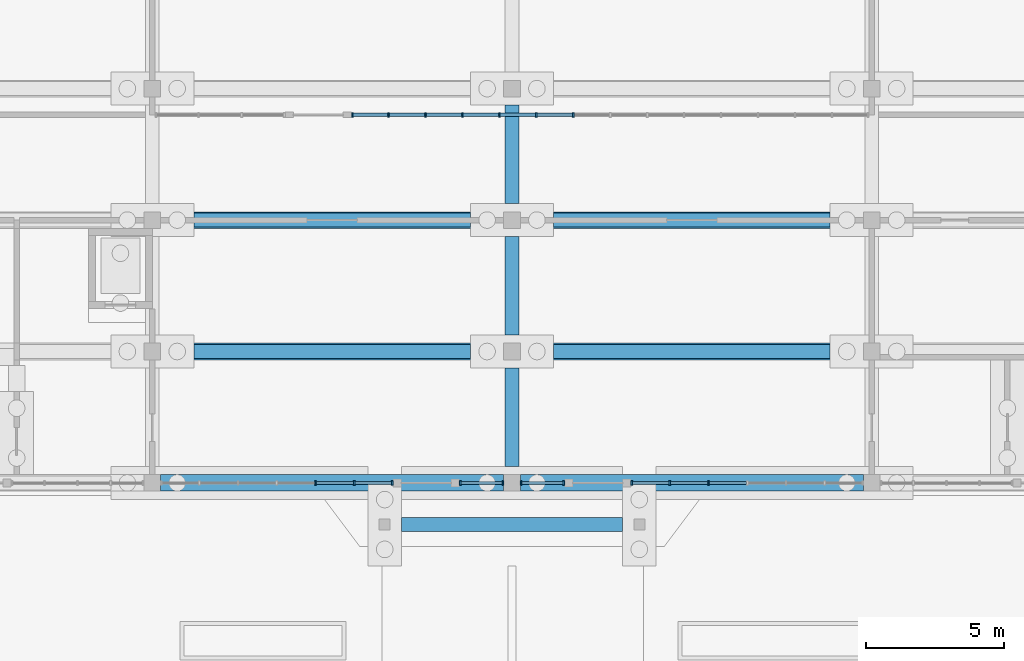
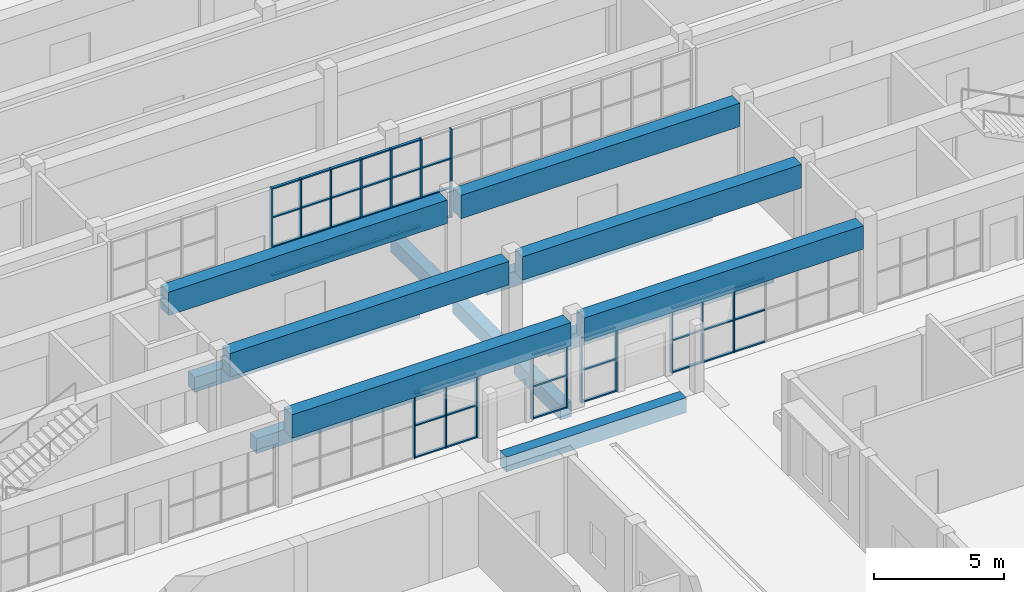
# One storey, part 17 of 161: 61 members, 14 beams, 5 elements without a shape of their own.
"""IFC4 building model written with IfcOpenShell, lengths in metres."""

from ifc_helpers import new_model, si_unit, direction, frame, origin, origin_2d, place, context, subcontext, project, spatial, rectangle, extrude, material, material_profile, profile_set, type_object, element, aggregate, save


model = new_model("IFC4")

# Units and contexts
model_context = context("Model", 3, precision=1e-05, world=origin(), true_north=direction((0.0, 1.0)))
body_context = subcontext(model_context, "Body", "Model", "MODEL_VIEW")
ifc_project = project(units=[si_unit("LENGTHUNIT", "METRE"), si_unit("AREAUNIT", "SQUARE_METRE"), si_unit("VOLUMEUNIT", "CUBIC_METRE"), si_unit("PLANEANGLEUNIT", "RADIAN"), si_unit("MASSUNIT", "GRAM", prefix="KILO")], contexts=[model_context])

# Site, building, storey
site_placement = place(None, origin())
site = spatial("IfcSite", under=ifc_project, at=site_placement, CompositionType="ELEMENT")
building_placement = place(site_placement, origin())
building = spatial("IfcBuilding", under=site, at=building_placement, Name="Elbe Cascade School", CompositionType="ELEMENT")
storey_placement = place(building_placement, origin())
storey = spatial("IfcBuildingStorey", under=building, at=storey_placement, Name="L00", CompositionType="ELEMENT", Elevation=0.0)

# Beams
ifc_material_1 = material(Name="Concrete C30/37", Category="concrete")
ifc_material_profile_1 = material_profile(ifc_material_1, rectangle(XDim=0.5, YDim=0.699951171875, at=origin_2d()), Name="RC 500x700")
ifc_profile_set_1 = profile_set([ifc_material_profile_1], Name="Concrete C30/37")
beam_type_1 = type_object("IfcBeamType", Name="Found ground beam RC 500x700", PredefinedType="BEAM", material=ifc_profile_set_1)
beam_placement = place(storey_placement, frame((30.0, 39.5, -0.35009765625), z_axis=(1.0, 0.0, 0.0), x_axis=(0.0, 1.0, 0.0)))
element("IfcBeam", 1, at=beam_placement, inside=storey, type_object=beam_type_1, Name="Ground beam 328", PredefinedType="BEAM", context=body_context, shape_type="SweptSolid", body=[
    extrude(rectangle(XDim=0.5, YDim=0.699951171875, at=origin_2d()), origin(), (0.0, 0.0, 1.0), 8.0),
])
for number, where, z_axis, x_axis, name in (
    (2, (22.5, 45.75, -0.64990234375), (1.0, 0.0, 0.0), (0.0, 1.0, 0.0), "Ground beam 332"),
    (3, (35.5, 45.75, -0.64990234375), (1.0, 0.0, 0.0), (0.0, 1.0, 0.0), "Ground beam 333"),
    (4, (22.5, 50.5, -0.64990234375), (1.0, 0.0, 0.0), (0.0, 1.0, 0.0), "Ground beam 336"),
    (5, (35.5, 50.5, -0.64990234375), (1.0, 0.0, 0.0), (0.0, 1.0, 0.0), "Ground beam 337"),
):
    element("IfcBeam", number, at=place(storey_placement, frame(where, z_axis=z_axis, x_axis=x_axis)), inside=storey, type_object=beam_type_1, Name=name, PredefinedType="BEAM", context=body_context, shape_type="SweptSolid", body=[
        extrude(rectangle(XDim=0.5, YDim=0.699951171875, at=origin_2d()), origin(), (0.0, 0.0, 1.0), 10.0),
    ])
for number, where, z_axis, x_axis, name in (
    (6, (34.0, 41.60009765625, -0.64990234375), (0.0, 1.0, 0.0), (-1.0, 0.0, 0.0), "Ground beam 361"),
    (7, (34.0, 46.35009765625, -0.64990234375), (0.0, 1.0, 0.0), (-1.0, 0.0, 0.0), "Ground beam 362"),
    (8, (34.0, 51.10009765625, -0.64990234375), (0.0, 1.0, 0.0), (-1.0, 0.0, 0.0), "Ground beam 363"),
):
    element("IfcBeam", number, at=place(storey_placement, frame(where, z_axis=z_axis, x_axis=x_axis)), inside=storey, type_object=beam_type_1, Name=name, PredefinedType="BEAM", context=body_context, shape_type="SweptSolid", body=[
        extrude(rectangle(XDim=0.5, YDim=0.699951171875, at=origin_2d()), origin(), (0.0, 0.0, 1.0), 3.5498046875),
    ])
ifc_material_2 = material(Name="Concrete C35/45", Category="concrete")
ifc_material_profile_2 = material_profile(ifc_material_2, rectangle(XDim=0.60009765625, YDim=1.10009765625, at=origin_2d()), Name="RC 600x1100")
ifc_profile_set_2 = profile_set([ifc_material_profile_2], Name="Concrete C35/45")
beam_type_2 = type_object("IfcBeamType", Name="Hall floor beam RC 600x1100", PredefinedType="BEAM", material=ifc_profile_set_2)
for number, where, z_axis, x_axis, name in (
    (9, (21.300048828125, 41.0, 3.60009765625), (1.0, 0.0, 0.0), (0.0, 1.0, 0.0), "Hall floor beam RC 600x1100 B13"),
    (10, (34.300048828125, 41.0, 3.60009765625), (1.0, 0.0, 0.0), (0.0, 1.0, 0.0), "Hall floor beam RC 600x1100 B13"),
    (11, (21.300048828125, 45.75, 3.60009765625), (1.0, 0.0, 0.0), (0.0, 1.0, 0.0), "Hall floor beam RC 600x1100 B13"),
    (12, (34.300048828125, 45.75, 3.60009765625), (1.0, 0.0, 0.0), (0.0, 1.0, 0.0), "Hall floor beam RC 600x1100 B13"),
    (13, (21.300048828125, 50.5, 3.60009765625), (1.0, 0.0, 0.0), (0.0, 1.0, 0.0), "Hall floor beam RC 600x1100 B13"),
    (14, (34.300048828125, 50.5, 3.60009765625), (1.0, 0.0, 0.0), (0.0, 1.0, 0.0), "Hall floor beam RC 600x1100 B13"),
):
    element("IfcBeam", number, at=place(storey_placement, frame(where, z_axis=z_axis, x_axis=x_axis)), inside=storey, type_object=beam_type_2, Name=name, PredefinedType="BEAM", context=body_context, shape_type="SweptSolid", body=[
        extrude(rectangle(XDim=0.60009765625, YDim=1.10009765625, at=origin_2d()), origin(), (0.0, 0.0, 1.0), 12.39990234375),
    ])

# Curtain wall, members
ifc_material_3 = material(Name="Glass - double glazed low-E", Category="glass")
curtain_wall_type = type_object("IfcCurtainWallType", Name="Hall gable curtain wall", PredefinedType="NOTDEFINED", material=ifc_material_3)
curtain_wall_1_placement = place(storey_placement, origin())
curtain_wall_1 = element("IfcCurtainWall", 15, at=curtain_wall_1_placement, inside=storey, type_object=curtain_wall_type, Name="Entrance front curtain wall 3", PredefinedType="NOTDEFINED")
ifc_material_4 = material(Name="Aluminium - bronze anodised", Category="aluminium")
ifc_material_profile_3 = material_profile(ifc_material_4, rectangle(XDim=0.159912109375, YDim=0.06005859375, at=origin_2d()), Name="Alu 60x160")
ifc_profile_set_3 = profile_set([ifc_material_profile_3], Name="Aluminium - bronze anodised")
member_type_1 = type_object("IfcMemberType", Name="Hall gable mullion 60x160", PredefinedType="MULLION", material=ifc_profile_set_3)
member_1_placement = place(storey_placement, frame((26.89990234375, 41.0, 0.0), z_axis=(0.0, 0.0, 1.0), x_axis=(0.0, 1.0, 0.0)))
member_1 = element("IfcMember", 16, at=member_1_placement, type_object=member_type_1, Name="CW6 mullion 5", PredefinedType="MULLION", context=body_context, shape_type="SweptSolid", body=[
    extrude(rectangle(XDim=0.159912109375, YDim=0.06005859375, at=origin_2d()), origin(), (0.0, 0.0, 1.0), 3.050048828125),
])
member_2_placement = place(storey_placement, frame((28.300048828125, 41.0, 0.0), z_axis=(0.0, 0.0, 1.0), x_axis=(0.0, 1.0, 0.0)))
member_2 = element("IfcMember", 17, at=member_2_placement, type_object=member_type_1, Name="CW6 mullion 6", PredefinedType="MULLION", context=body_context, shape_type="SweptSolid", body=[
    extrude(rectangle(XDim=0.159912109375, YDim=0.06005859375, at=origin_2d()), origin(), (0.0, 0.0, 1.0), 3.050048828125),
])
member_3_placement = place(storey_placement, frame((29.669921875, 41.0, 0.0), z_axis=(0.0, 0.0, 1.0), x_axis=(0.0, 1.0, 0.0)))
member_3 = element("IfcMember", 18, at=member_3_placement, type_object=member_type_1, Name="CW6 mullion 7", PredefinedType="MULLION", context=body_context, shape_type="SweptSolid", body=[
    extrude(rectangle(XDim=0.159912109375, YDim=0.06005859375, at=origin_2d()), origin(), (0.0, 0.0, 1.0), 3.050048828125),
])

curtain_wall_2_placement = place(storey_placement, origin())
curtain_wall_2 = element("IfcCurtainWall", 19, at=curtain_wall_2_placement, inside=storey, type_object=curtain_wall_type, Name="Entrance front curtain wall 4", PredefinedType="NOTDEFINED")
member_4_placement = place(storey_placement, frame((32.1298828125, 41.0, 0.0), z_axis=(0.0, 0.0, 1.0), x_axis=(0.0, 1.0, 0.0)))
member_4 = element("IfcMember", 20, at=member_4_placement, type_object=member_type_1, Name="CW6 mullion 1", PredefinedType="MULLION", context=body_context, shape_type="SweptSolid", body=[
    extrude(rectangle(XDim=0.159912109375, YDim=0.06005859375, at=origin_2d()), origin(), (0.0, 0.0, 1.0), 3.050048828125),
])
member_5_placement = place(storey_placement, frame((33.669921875, 41.0, 0.0), z_axis=(0.0, 0.0, 1.0), x_axis=(0.0, 1.0, 0.0)))
member_5 = element("IfcMember", 21, at=member_5_placement, type_object=member_type_1, Name="CW6 mullion 2", PredefinedType="MULLION", context=body_context, shape_type="SweptSolid", body=[
    extrude(rectangle(XDim=0.159912109375, YDim=0.06005859375, at=origin_2d()), origin(), (0.0, 0.0, 1.0), 3.050048828125),
])

curtain_wall_3_placement = place(storey_placement, origin())
curtain_wall_3 = element("IfcCurtainWall", 22, at=curtain_wall_3_placement, inside=storey, type_object=curtain_wall_type, Name="Entrance front curtain wall 5", PredefinedType="NOTDEFINED")
member_6_placement = place(storey_placement, frame((34.330078125, 41.0, 0.0), z_axis=(0.0, 0.0, 1.0), x_axis=(0.0, 1.0, 0.0)))
member_6 = element("IfcMember", 23, at=member_6_placement, type_object=member_type_1, Name="CW6 mullion 1", PredefinedType="MULLION", context=body_context, shape_type="SweptSolid", body=[
    extrude(rectangle(XDim=0.159912109375, YDim=0.06005859375, at=origin_2d()), origin(), (0.0, 0.0, 1.0), 3.050048828125),
])
member_7_placement = place(storey_placement, frame((35.8701171875, 41.0, 0.0), z_axis=(0.0, 0.0, 1.0), x_axis=(0.0, 1.0, 0.0)))
member_7 = element("IfcMember", 24, at=member_7_placement, type_object=member_type_1, Name="CW6 mullion 2", PredefinedType="MULLION", context=body_context, shape_type="SweptSolid", body=[
    extrude(rectangle(XDim=0.159912109375, YDim=0.06005859375, at=origin_2d()), origin(), (0.0, 0.0, 1.0), 3.050048828125),
])

curtain_wall_4_placement = place(storey_placement, origin())
curtain_wall_4 = element("IfcCurtainWall", 25, at=curtain_wall_4_placement, inside=storey, type_object=curtain_wall_type, Name="Entrance front curtain wall 6", PredefinedType="NOTDEFINED")
member_8_placement = place(storey_placement, frame((38.330078125, 41.0, 0.0), z_axis=(0.0, 0.0, 1.0), x_axis=(0.0, 1.0, 0.0)))
member_8 = element("IfcMember", 26, at=member_8_placement, type_object=member_type_1, Name="CW6 mullion 1", PredefinedType="MULLION", context=body_context, shape_type="SweptSolid", body=[
    extrude(rectangle(XDim=0.159912109375, YDim=0.06005859375, at=origin_2d()), origin(), (0.0, 0.0, 1.0), 3.050048828125),
])
member_9_placement = place(storey_placement, frame((39.699951171875, 41.0, 0.0), z_axis=(0.0, 0.0, 1.0), x_axis=(0.0, 1.0, 0.0)))
member_9 = element("IfcMember", 27, at=member_9_placement, type_object=member_type_1, Name="CW6 mullion 2", PredefinedType="MULLION", context=body_context, shape_type="SweptSolid", body=[
    extrude(rectangle(XDim=0.159912109375, YDim=0.06005859375, at=origin_2d()), origin(), (0.0, 0.0, 1.0), 3.050048828125),
])
member_10_placement = place(storey_placement, frame((41.10009765625, 41.0, 0.0), z_axis=(0.0, 0.0, 1.0), x_axis=(0.0, 1.0, 0.0)))
member_10 = element("IfcMember", 28, at=member_10_placement, type_object=member_type_1, Name="CW6 mullion 3", PredefinedType="MULLION", context=body_context, shape_type="SweptSolid", body=[
    extrude(rectangle(XDim=0.159912109375, YDim=0.06005859375, at=origin_2d()), origin(), (0.0, 0.0, 1.0), 3.050048828125),
])

curtain_wall_5_placement = place(storey_placement, origin())
curtain_wall_5 = element("IfcCurtainWall", 29, at=curtain_wall_5_placement, inside=storey, type_object=curtain_wall_type, Name="Studio front curtain wall 2", PredefinedType="NOTDEFINED")
member_11_placement = place(storey_placement, frame((28.22998046875, 54.300048828125, 0.0), z_axis=(0.0, 0.0, 1.0), x_axis=(0.0, 1.0, 0.0)))
member_11 = element("IfcMember", 30, at=member_11_placement, type_object=member_type_1, Name="CW6 mullion 1", PredefinedType="MULLION", context=body_context, shape_type="SweptSolid", body=[
    extrude(rectangle(XDim=0.159912109375, YDim=0.06005859375, at=origin_2d()), origin(), (0.0, 0.0, 1.0), 4.14990234375),
])
member_12_placement = place(storey_placement, frame((29.53564453125, 54.300048828125, 0.0), z_axis=(0.0, 0.0, 1.0), x_axis=(0.0, 1.0, 0.0)))
member_12 = element("IfcMember", 31, at=member_12_placement, type_object=member_type_1, Name="CW6 mullion 2", PredefinedType="MULLION", context=body_context, shape_type="SweptSolid", body=[
    extrude(rectangle(XDim=0.159912109375, YDim=0.06005859375, at=origin_2d()), origin(), (0.0, 0.0, 1.0), 4.14990234375),
])
member_13_placement = place(storey_placement, frame((30.871337890625, 54.300048828125, 0.0), z_axis=(0.0, 0.0, 1.0), x_axis=(0.0, 1.0, 0.0)))
member_13 = element("IfcMember", 32, at=member_13_placement, type_object=member_type_1, Name="CW6 mullion 3", PredefinedType="MULLION", context=body_context, shape_type="SweptSolid", body=[
    extrude(rectangle(XDim=0.159912109375, YDim=0.06005859375, at=origin_2d()), origin(), (0.0, 0.0, 1.0), 4.14990234375),
])
member_14_placement = place(storey_placement, frame((32.20703125, 54.300048828125, 0.0), z_axis=(0.0, 0.0, 1.0), x_axis=(0.0, 1.0, 0.0)))
member_14 = element("IfcMember", 33, at=member_14_placement, type_object=member_type_1, Name="CW6 mullion 4", PredefinedType="MULLION", context=body_context, shape_type="SweptSolid", body=[
    extrude(rectangle(XDim=0.159912109375, YDim=0.06005859375, at=origin_2d()), origin(), (0.0, 0.0, 1.0), 4.14990234375),
])
member_15_placement = place(storey_placement, frame((33.54296875, 54.300048828125, 0.0), z_axis=(0.0, 0.0, 1.0), x_axis=(0.0, 1.0, 0.0)))
member_15 = element("IfcMember", 34, at=member_15_placement, type_object=member_type_1, Name="CW6 mullion 5", PredefinedType="MULLION", context=body_context, shape_type="SweptSolid", body=[
    extrude(rectangle(XDim=0.159912109375, YDim=0.06005859375, at=origin_2d()), origin(), (0.0, 0.0, 1.0), 4.14990234375),
])
member_16_placement = place(storey_placement, frame((34.878662109375, 54.300048828125, 0.0), z_axis=(0.0, 0.0, 1.0), x_axis=(0.0, 1.0, 0.0)))
member_16 = element("IfcMember", 35, at=member_16_placement, type_object=member_type_1, Name="CW6 mullion 6", PredefinedType="MULLION", context=body_context, shape_type="SweptSolid", body=[
    extrude(rectangle(XDim=0.159912109375, YDim=0.06005859375, at=origin_2d()), origin(), (0.0, 0.0, 1.0), 4.14990234375),
])
member_17_placement = place(storey_placement, frame((36.21435546875, 54.300048828125, 0.0), z_axis=(0.0, 0.0, 1.0), x_axis=(0.0, 1.0, 0.0)))
member_17 = element("IfcMember", 36, at=member_17_placement, type_object=member_type_1, Name="CW6 mullion 7", PredefinedType="MULLION", context=body_context, shape_type="SweptSolid", body=[
    extrude(rectangle(XDim=0.159912109375, YDim=0.06005859375, at=origin_2d()), origin(), (0.0, 0.0, 1.0), 4.14990234375),
])

# Member
ifc_material_5 = material(Name="Aluminium - bronze anodised", Category="aluminium")
ifc_material_profile_4 = material_profile(ifc_material_5, rectangle(XDim=0.1201171875, YDim=0.06005859375, at=origin_2d()), Name="Alu 60x120")
ifc_profile_set_4 = profile_set([ifc_material_profile_4], Name="Aluminium - bronze anodised")
member_type_2 = type_object("IfcMemberType", Name="Hall gable transom 60x120", PredefinedType="USERDEFINED", material=ifc_profile_set_4)
member_18_placement = place(storey_placement, frame((26.929931640625, 41.0, 0.030029296875), z_axis=(1.0, 0.0, 0.0), x_axis=(0.0, 1.0, 0.0)))
member_18 = element("IfcMember", 37, at=member_18_placement, type_object=member_type_2, Name="CW6 transom 5.1", ObjectType="TRANSOM", PredefinedType="USERDEFINED", context=body_context, shape_type="SweptSolid", body=[
    extrude(rectangle(XDim=0.1201171875, YDim=0.06005859375, at=origin_2d()), origin(), (0.0, 0.0, 1.0), 1.340087890625),
])

member_19_placement = place(storey_placement, frame((26.929931640625, 41.0, 1.52490234375), z_axis=(1.0, 0.0, 0.0), x_axis=(0.0, 1.0, 0.0)))
member_19 = element("IfcMember", 38, at=member_19_placement, type_object=member_type_2, Name="CW6 transom 5.2", ObjectType="TRANSOM", PredefinedType="USERDEFINED", context=body_context, shape_type="SweptSolid", body=[
    extrude(rectangle(XDim=0.1201171875, YDim=0.06005859375, at=origin_2d()), origin(), (0.0, 0.0, 1.0), 1.340087890625),
])

member_20_placement = place(storey_placement, frame((26.929931640625, 41.0, 3.02001953125), z_axis=(1.0, 0.0, 0.0), x_axis=(0.0, 1.0, 0.0)))
member_20 = element("IfcMember", 39, at=member_20_placement, type_object=member_type_2, Name="CW6 transom 5.3", ObjectType="TRANSOM", PredefinedType="USERDEFINED", context=body_context, shape_type="SweptSolid", body=[
    extrude(rectangle(XDim=0.1201171875, YDim=0.06005859375, at=origin_2d()), origin(), (0.0, 0.0, 1.0), 1.340087890625),
])

member_21_placement = place(storey_placement, frame((28.330078125, 41.0, 0.030029296875), z_axis=(1.0, 0.0, 0.0), x_axis=(0.0, 1.0, 0.0)))
member_21 = element("IfcMember", 40, at=member_21_placement, type_object=member_type_2, Name="CW6 transom 6.1", ObjectType="TRANSOM", PredefinedType="USERDEFINED", context=body_context, shape_type="SweptSolid", body=[
    extrude(rectangle(XDim=0.1201171875, YDim=0.06005859375, at=origin_2d()), origin(), (0.0, 0.0, 1.0), 1.309814453125),
])

member_22_placement = place(storey_placement, frame((28.330078125, 41.0, 1.52490234375), z_axis=(1.0, 0.0, 0.0), x_axis=(0.0, 1.0, 0.0)))
member_22 = element("IfcMember", 41, at=member_22_placement, type_object=member_type_2, Name="CW6 transom 6.2", ObjectType="TRANSOM", PredefinedType="USERDEFINED", context=body_context, shape_type="SweptSolid", body=[
    extrude(rectangle(XDim=0.1201171875, YDim=0.06005859375, at=origin_2d()), origin(), (0.0, 0.0, 1.0), 1.309814453125),
])

member_23_placement = place(storey_placement, frame((28.330078125, 41.0, 3.02001953125), z_axis=(1.0, 0.0, 0.0), x_axis=(0.0, 1.0, 0.0)))
member_23 = element("IfcMember", 42, at=member_23_placement, type_object=member_type_2, Name="CW6 transom 6.3", ObjectType="TRANSOM", PredefinedType="USERDEFINED", context=body_context, shape_type="SweptSolid", body=[
    extrude(rectangle(XDim=0.1201171875, YDim=0.06005859375, at=origin_2d()), origin(), (0.0, 0.0, 1.0), 1.309814453125),
])

aggregate(curtain_wall_1, [member_1, member_2, member_3, member_18, member_19, member_20, member_21, member_22, member_23])

member_24_placement = place(storey_placement, frame((32.159912109375, 41.0, 0.030029296875), z_axis=(1.0, 0.0, 0.0), x_axis=(0.0, 1.0, 0.0)))
member_24 = element("IfcMember", 43, at=member_24_placement, type_object=member_type_2, Name="CW6 transom 1.1", ObjectType="TRANSOM", PredefinedType="USERDEFINED", context=body_context, shape_type="SweptSolid", body=[
    extrude(rectangle(XDim=0.1201171875, YDim=0.06005859375, at=origin_2d()), origin(), (0.0, 0.0, 1.0), 1.47998046875),
])

member_25_placement = place(storey_placement, frame((32.159912109375, 41.0, 1.52490234375), z_axis=(1.0, 0.0, 0.0), x_axis=(0.0, 1.0, 0.0)))
member_25 = element("IfcMember", 44, at=member_25_placement, type_object=member_type_2, Name="CW6 transom 1.2", ObjectType="TRANSOM", PredefinedType="USERDEFINED", context=body_context, shape_type="SweptSolid", body=[
    extrude(rectangle(XDim=0.1201171875, YDim=0.06005859375, at=origin_2d()), origin(), (0.0, 0.0, 1.0), 1.47998046875),
])

member_26_placement = place(storey_placement, frame((32.159912109375, 41.0, 3.02001953125), z_axis=(1.0, 0.0, 0.0), x_axis=(0.0, 1.0, 0.0)))
member_26 = element("IfcMember", 45, at=member_26_placement, type_object=member_type_2, Name="CW6 transom 1.3", ObjectType="TRANSOM", PredefinedType="USERDEFINED", context=body_context, shape_type="SweptSolid", body=[
    extrude(rectangle(XDim=0.1201171875, YDim=0.06005859375, at=origin_2d()), origin(), (0.0, 0.0, 1.0), 1.47998046875),
])

aggregate(curtain_wall_2, [member_4, member_5, member_24, member_25, member_26])

member_27_placement = place(storey_placement, frame((34.360107421875, 41.0, 0.030029296875), z_axis=(1.0, 0.0, 0.0), x_axis=(0.0, 1.0, 0.0)))
member_27 = element("IfcMember", 46, at=member_27_placement, type_object=member_type_2, Name="CW6 transom 1.1", ObjectType="TRANSOM", PredefinedType="USERDEFINED", context=body_context, shape_type="SweptSolid", body=[
    extrude(rectangle(XDim=0.1201171875, YDim=0.06005859375, at=origin_2d()), origin(), (0.0, 0.0, 1.0), 1.47998046875),
])

member_28_placement = place(storey_placement, frame((34.360107421875, 41.0, 1.52490234375), z_axis=(1.0, 0.0, 0.0), x_axis=(0.0, 1.0, 0.0)))
member_28 = element("IfcMember", 47, at=member_28_placement, type_object=member_type_2, Name="CW6 transom 1.2", ObjectType="TRANSOM", PredefinedType="USERDEFINED", context=body_context, shape_type="SweptSolid", body=[
    extrude(rectangle(XDim=0.1201171875, YDim=0.06005859375, at=origin_2d()), origin(), (0.0, 0.0, 1.0), 1.47998046875),
])

member_29_placement = place(storey_placement, frame((34.360107421875, 41.0, 3.02001953125), z_axis=(1.0, 0.0, 0.0), x_axis=(0.0, 1.0, 0.0)))
member_29 = element("IfcMember", 48, at=member_29_placement, type_object=member_type_2, Name="CW6 transom 1.3", ObjectType="TRANSOM", PredefinedType="USERDEFINED", context=body_context, shape_type="SweptSolid", body=[
    extrude(rectangle(XDim=0.1201171875, YDim=0.06005859375, at=origin_2d()), origin(), (0.0, 0.0, 1.0), 1.47998046875),
])

aggregate(curtain_wall_3, [member_6, member_7, member_27, member_28, member_29])

member_30_placement = place(storey_placement, frame((38.360107421875, 41.0, 0.030029296875), z_axis=(1.0, 0.0, 0.0), x_axis=(0.0, 1.0, 0.0)))
member_30 = element("IfcMember", 49, at=member_30_placement, type_object=member_type_2, Name="CW6 transom 1.1", ObjectType="TRANSOM", PredefinedType="USERDEFINED", context=body_context, shape_type="SweptSolid", body=[
    extrude(rectangle(XDim=0.1201171875, YDim=0.06005859375, at=origin_2d()), origin(), (0.0, 0.0, 1.0), 1.309814453125),
])

member_31_placement = place(storey_placement, frame((38.360107421875, 41.0, 1.52490234375), z_axis=(1.0, 0.0, 0.0), x_axis=(0.0, 1.0, 0.0)))
member_31 = element("IfcMember", 50, at=member_31_placement, type_object=member_type_2, Name="CW6 transom 1.2", ObjectType="TRANSOM", PredefinedType="USERDEFINED", context=body_context, shape_type="SweptSolid", body=[
    extrude(rectangle(XDim=0.1201171875, YDim=0.06005859375, at=origin_2d()), origin(), (0.0, 0.0, 1.0), 1.309814453125),
])

member_32_placement = place(storey_placement, frame((38.360107421875, 41.0, 3.02001953125), z_axis=(1.0, 0.0, 0.0), x_axis=(0.0, 1.0, 0.0)))
member_32 = element("IfcMember", 51, at=member_32_placement, type_object=member_type_2, Name="CW6 transom 1.3", ObjectType="TRANSOM", PredefinedType="USERDEFINED", context=body_context, shape_type="SweptSolid", body=[
    extrude(rectangle(XDim=0.1201171875, YDim=0.06005859375, at=origin_2d()), origin(), (0.0, 0.0, 1.0), 1.309814453125),
])

member_33_placement = place(storey_placement, frame((39.72998046875, 41.0, 0.030029296875), z_axis=(1.0, 0.0, 0.0), x_axis=(0.0, 1.0, 0.0)))
member_33 = element("IfcMember", 52, at=member_33_placement, type_object=member_type_2, Name="CW6 transom 2.1", ObjectType="TRANSOM", PredefinedType="USERDEFINED", context=body_context, shape_type="SweptSolid", body=[
    extrude(rectangle(XDim=0.1201171875, YDim=0.06005859375, at=origin_2d()), origin(), (0.0, 0.0, 1.0), 1.340087890625),
])

member_34_placement = place(storey_placement, frame((39.72998046875, 41.0, 1.52490234375), z_axis=(1.0, 0.0, 0.0), x_axis=(0.0, 1.0, 0.0)))
member_34 = element("IfcMember", 53, at=member_34_placement, type_object=member_type_2, Name="CW6 transom 2.2", ObjectType="TRANSOM", PredefinedType="USERDEFINED", context=body_context, shape_type="SweptSolid", body=[
    extrude(rectangle(XDim=0.1201171875, YDim=0.06005859375, at=origin_2d()), origin(), (0.0, 0.0, 1.0), 1.340087890625),
])

member_35_placement = place(storey_placement, frame((39.72998046875, 41.0, 3.02001953125), z_axis=(1.0, 0.0, 0.0), x_axis=(0.0, 1.0, 0.0)))
member_35 = element("IfcMember", 54, at=member_35_placement, type_object=member_type_2, Name="CW6 transom 2.3", ObjectType="TRANSOM", PredefinedType="USERDEFINED", context=body_context, shape_type="SweptSolid", body=[
    extrude(rectangle(XDim=0.1201171875, YDim=0.06005859375, at=origin_2d()), origin(), (0.0, 0.0, 1.0), 1.340087890625),
])

member_36_placement = place(storey_placement, frame((41.1298828125, 41.0, 0.030029296875), z_axis=(1.0, 0.0, 0.0), x_axis=(0.0, 1.0, 0.0)))
member_36 = element("IfcMember", 55, at=member_36_placement, type_object=member_type_2, Name="CW6 transom 3.1", ObjectType="TRANSOM", PredefinedType="USERDEFINED", context=body_context, shape_type="SweptSolid", body=[
    extrude(rectangle(XDim=0.1201171875, YDim=0.06005859375, at=origin_2d()), origin(), (0.0, 0.0, 1.0), 1.340087890625),
])

member_37_placement = place(storey_placement, frame((41.1298828125, 41.0, 1.52490234375), z_axis=(1.0, 0.0, 0.0), x_axis=(0.0, 1.0, 0.0)))
member_37 = element("IfcMember", 56, at=member_37_placement, type_object=member_type_2, Name="CW6 transom 3.2", ObjectType="TRANSOM", PredefinedType="USERDEFINED", context=body_context, shape_type="SweptSolid", body=[
    extrude(rectangle(XDim=0.1201171875, YDim=0.06005859375, at=origin_2d()), origin(), (0.0, 0.0, 1.0), 1.340087890625),
])

member_38_placement = place(storey_placement, frame((41.1298828125, 41.0, 3.02001953125), z_axis=(1.0, 0.0, 0.0), x_axis=(0.0, 1.0, 0.0)))
member_38 = element("IfcMember", 57, at=member_38_placement, type_object=member_type_2, Name="CW6 transom 3.3", ObjectType="TRANSOM", PredefinedType="USERDEFINED", context=body_context, shape_type="SweptSolid", body=[
    extrude(rectangle(XDim=0.1201171875, YDim=0.06005859375, at=origin_2d()), origin(), (0.0, 0.0, 1.0), 1.340087890625),
])

aggregate(curtain_wall_4, [member_8, member_9, member_10, member_30, member_31, member_32, member_33, member_34, member_35, member_36, member_37, member_38])

member_39_placement = place(storey_placement, frame((28.260009765625, 54.300048828125, 0.030029296875), z_axis=(1.0, 0.0, 0.0), x_axis=(0.0, 1.0, 0.0)))
member_39 = element("IfcMember", 58, at=member_39_placement, type_object=member_type_2, Name="CW6 transom 1.1", ObjectType="TRANSOM", PredefinedType="USERDEFINED", context=body_context, shape_type="SweptSolid", body=[
    extrude(rectangle(XDim=0.1201171875, YDim=0.06005859375, at=origin_2d()), origin(), (0.0, 0.0, 1.0), 1.24560546875),
])

member_40_placement = place(storey_placement, frame((28.260009765625, 54.300048828125, 1.38330078125), z_axis=(1.0, 0.0, 0.0), x_axis=(0.0, 1.0, 0.0)))
member_40 = element("IfcMember", 59, at=member_40_placement, type_object=member_type_2, Name="CW6 transom 1.2", ObjectType="TRANSOM", PredefinedType="USERDEFINED", context=body_context, shape_type="SweptSolid", body=[
    extrude(rectangle(XDim=0.1201171875, YDim=0.06005859375, at=origin_2d()), origin(), (0.0, 0.0, 1.0), 1.24560546875),
])

member_41_placement = place(storey_placement, frame((28.260009765625, 54.300048828125, 2.7666015625), z_axis=(1.0, 0.0, 0.0), x_axis=(0.0, 1.0, 0.0)))
member_41 = element("IfcMember", 60, at=member_41_placement, type_object=member_type_2, Name="CW6 transom 1.3", ObjectType="TRANSOM", PredefinedType="USERDEFINED", context=body_context, shape_type="SweptSolid", body=[
    extrude(rectangle(XDim=0.1201171875, YDim=0.06005859375, at=origin_2d()), origin(), (0.0, 0.0, 1.0), 1.24560546875),
])

member_42_placement = place(storey_placement, frame((28.260009765625, 54.300048828125, 4.1201171875), z_axis=(1.0, 0.0, 0.0), x_axis=(0.0, 1.0, 0.0)))
member_42 = element("IfcMember", 61, at=member_42_placement, type_object=member_type_2, Name="CW6 transom 1.4", ObjectType="TRANSOM", PredefinedType="USERDEFINED", context=body_context, shape_type="SweptSolid", body=[
    extrude(rectangle(XDim=0.1201171875, YDim=0.06005859375, at=origin_2d()), origin(), (0.0, 0.0, 1.0), 1.24560546875),
])

member_43_placement = place(storey_placement, frame((29.565673828125, 54.300048828125, 0.030029296875), z_axis=(1.0, 0.0, 0.0), x_axis=(0.0, 1.0, 0.0)))
member_43 = element("IfcMember", 62, at=member_43_placement, type_object=member_type_2, Name="CW6 transom 2.1", ObjectType="TRANSOM", PredefinedType="USERDEFINED", context=body_context, shape_type="SweptSolid", body=[
    extrude(rectangle(XDim=0.1201171875, YDim=0.06005859375, at=origin_2d()), origin(), (0.0, 0.0, 1.0), 1.275634765625),
])

member_44_placement = place(storey_placement, frame((29.565673828125, 54.300048828125, 1.38330078125), z_axis=(1.0, 0.0, 0.0), x_axis=(0.0, 1.0, 0.0)))
member_44 = element("IfcMember", 63, at=member_44_placement, type_object=member_type_2, Name="CW6 transom 2.2", ObjectType="TRANSOM", PredefinedType="USERDEFINED", context=body_context, shape_type="SweptSolid", body=[
    extrude(rectangle(XDim=0.1201171875, YDim=0.06005859375, at=origin_2d()), origin(), (0.0, 0.0, 1.0), 1.275634765625),
])

member_45_placement = place(storey_placement, frame((29.565673828125, 54.300048828125, 2.7666015625), z_axis=(1.0, 0.0, 0.0), x_axis=(0.0, 1.0, 0.0)))
member_45 = element("IfcMember", 64, at=member_45_placement, type_object=member_type_2, Name="CW6 transom 2.3", ObjectType="TRANSOM", PredefinedType="USERDEFINED", context=body_context, shape_type="SweptSolid", body=[
    extrude(rectangle(XDim=0.1201171875, YDim=0.06005859375, at=origin_2d()), origin(), (0.0, 0.0, 1.0), 1.275634765625),
])

member_46_placement = place(storey_placement, frame((29.565673828125, 54.300048828125, 4.1201171875), z_axis=(1.0, 0.0, 0.0), x_axis=(0.0, 1.0, 0.0)))
member_46 = element("IfcMember", 65, at=member_46_placement, type_object=member_type_2, Name="CW6 transom 2.4", ObjectType="TRANSOM", PredefinedType="USERDEFINED", context=body_context, shape_type="SweptSolid", body=[
    extrude(rectangle(XDim=0.1201171875, YDim=0.06005859375, at=origin_2d()), origin(), (0.0, 0.0, 1.0), 1.275634765625),
])

member_47_placement = place(storey_placement, frame((30.9013671875, 54.300048828125, 0.030029296875), z_axis=(1.0, 0.0, 0.0), x_axis=(0.0, 1.0, 0.0)))
member_47 = element("IfcMember", 66, at=member_47_placement, type_object=member_type_2, Name="CW6 transom 3.1", ObjectType="TRANSOM", PredefinedType="USERDEFINED", context=body_context, shape_type="SweptSolid", body=[
    extrude(rectangle(XDim=0.1201171875, YDim=0.06005859375, at=origin_2d()), origin(), (0.0, 0.0, 1.0), 1.27587890625),
])

member_48_placement = place(storey_placement, frame((30.9013671875, 54.300048828125, 1.38330078125), z_axis=(1.0, 0.0, 0.0), x_axis=(0.0, 1.0, 0.0)))
member_48 = element("IfcMember", 67, at=member_48_placement, type_object=member_type_2, Name="CW6 transom 3.2", ObjectType="TRANSOM", PredefinedType="USERDEFINED", context=body_context, shape_type="SweptSolid", body=[
    extrude(rectangle(XDim=0.1201171875, YDim=0.06005859375, at=origin_2d()), origin(), (0.0, 0.0, 1.0), 1.27587890625),
])

member_49_placement = place(storey_placement, frame((30.9013671875, 54.300048828125, 2.7666015625), z_axis=(1.0, 0.0, 0.0), x_axis=(0.0, 1.0, 0.0)))
member_49 = element("IfcMember", 68, at=member_49_placement, type_object=member_type_2, Name="CW6 transom 3.3", ObjectType="TRANSOM", PredefinedType="USERDEFINED", context=body_context, shape_type="SweptSolid", body=[
    extrude(rectangle(XDim=0.1201171875, YDim=0.06005859375, at=origin_2d()), origin(), (0.0, 0.0, 1.0), 1.27587890625),
])

member_50_placement = place(storey_placement, frame((30.9013671875, 54.300048828125, 4.1201171875), z_axis=(1.0, 0.0, 0.0), x_axis=(0.0, 1.0, 0.0)))
member_50 = element("IfcMember", 69, at=member_50_placement, type_object=member_type_2, Name="CW6 transom 3.4", ObjectType="TRANSOM", PredefinedType="USERDEFINED", context=body_context, shape_type="SweptSolid", body=[
    extrude(rectangle(XDim=0.1201171875, YDim=0.06005859375, at=origin_2d()), origin(), (0.0, 0.0, 1.0), 1.27587890625),
])

member_51_placement = place(storey_placement, frame((32.237060546875, 54.300048828125, 0.030029296875), z_axis=(1.0, 0.0, 0.0), x_axis=(0.0, 1.0, 0.0)))
member_51 = element("IfcMember", 70, at=member_51_placement, type_object=member_type_2, Name="CW6 transom 4.1", ObjectType="TRANSOM", PredefinedType="USERDEFINED", context=body_context, shape_type="SweptSolid", body=[
    extrude(rectangle(XDim=0.1201171875, YDim=0.06005859375, at=origin_2d()), origin(), (0.0, 0.0, 1.0), 1.27587890625),
])

member_52_placement = place(storey_placement, frame((32.237060546875, 54.300048828125, 1.38330078125), z_axis=(1.0, 0.0, 0.0), x_axis=(0.0, 1.0, 0.0)))
member_52 = element("IfcMember", 71, at=member_52_placement, type_object=member_type_2, Name="CW6 transom 4.2", ObjectType="TRANSOM", PredefinedType="USERDEFINED", context=body_context, shape_type="SweptSolid", body=[
    extrude(rectangle(XDim=0.1201171875, YDim=0.06005859375, at=origin_2d()), origin(), (0.0, 0.0, 1.0), 1.27587890625),
])

member_53_placement = place(storey_placement, frame((32.237060546875, 54.300048828125, 2.7666015625), z_axis=(1.0, 0.0, 0.0), x_axis=(0.0, 1.0, 0.0)))
member_53 = element("IfcMember", 72, at=member_53_placement, type_object=member_type_2, Name="CW6 transom 4.3", ObjectType="TRANSOM", PredefinedType="USERDEFINED", context=body_context, shape_type="SweptSolid", body=[
    extrude(rectangle(XDim=0.1201171875, YDim=0.06005859375, at=origin_2d()), origin(), (0.0, 0.0, 1.0), 1.27587890625),
])

member_54_placement = place(storey_placement, frame((32.237060546875, 54.300048828125, 4.1201171875), z_axis=(1.0, 0.0, 0.0), x_axis=(0.0, 1.0, 0.0)))
member_54 = element("IfcMember", 73, at=member_54_placement, type_object=member_type_2, Name="CW6 transom 4.4", ObjectType="TRANSOM", PredefinedType="USERDEFINED", context=body_context, shape_type="SweptSolid", body=[
    extrude(rectangle(XDim=0.1201171875, YDim=0.06005859375, at=origin_2d()), origin(), (0.0, 0.0, 1.0), 1.27587890625),
])

member_55_placement = place(storey_placement, frame((33.57275390625, 54.300048828125, 0.030029296875), z_axis=(1.0, 0.0, 0.0), x_axis=(0.0, 1.0, 0.0)))
member_55 = element("IfcMember", 74, at=member_55_placement, type_object=member_type_2, Name="CW6 transom 5.1", ObjectType="TRANSOM", PredefinedType="USERDEFINED", context=body_context, shape_type="SweptSolid", body=[
    extrude(rectangle(XDim=0.1201171875, YDim=0.06005859375, at=origin_2d()), origin(), (0.0, 0.0, 1.0), 1.27587890625),
])

member_56_placement = place(storey_placement, frame((33.57275390625, 54.300048828125, 1.38330078125), z_axis=(1.0, 0.0, 0.0), x_axis=(0.0, 1.0, 0.0)))
member_56 = element("IfcMember", 75, at=member_56_placement, type_object=member_type_2, Name="CW6 transom 5.2", ObjectType="TRANSOM", PredefinedType="USERDEFINED", context=body_context, shape_type="SweptSolid", body=[
    extrude(rectangle(XDim=0.1201171875, YDim=0.06005859375, at=origin_2d()), origin(), (0.0, 0.0, 1.0), 1.27587890625),
])

member_57_placement = place(storey_placement, frame((33.57275390625, 54.300048828125, 2.7666015625), z_axis=(1.0, 0.0, 0.0), x_axis=(0.0, 1.0, 0.0)))
member_57 = element("IfcMember", 76, at=member_57_placement, type_object=member_type_2, Name="CW6 transom 5.3", ObjectType="TRANSOM", PredefinedType="USERDEFINED", context=body_context, shape_type="SweptSolid", body=[
    extrude(rectangle(XDim=0.1201171875, YDim=0.06005859375, at=origin_2d()), origin(), (0.0, 0.0, 1.0), 1.27587890625),
])

member_58_placement = place(storey_placement, frame((33.57275390625, 54.300048828125, 4.1201171875), z_axis=(1.0, 0.0, 0.0), x_axis=(0.0, 1.0, 0.0)))
member_58 = element("IfcMember", 77, at=member_58_placement, type_object=member_type_2, Name="CW6 transom 5.4", ObjectType="TRANSOM", PredefinedType="USERDEFINED", context=body_context, shape_type="SweptSolid", body=[
    extrude(rectangle(XDim=0.1201171875, YDim=0.06005859375, at=origin_2d()), origin(), (0.0, 0.0, 1.0), 1.27587890625),
])

member_59_placement = place(storey_placement, frame((34.90869140625, 54.300048828125, 0.030029296875), z_axis=(1.0, 0.0, 0.0), x_axis=(0.0, 1.0, 0.0)))
member_59 = element("IfcMember", 78, at=member_59_placement, type_object=member_type_2, Name="CW6 transom 6.1", ObjectType="TRANSOM", PredefinedType="USERDEFINED", context=body_context, shape_type="SweptSolid", body=[
    extrude(rectangle(XDim=0.1201171875, YDim=0.06005859375, at=origin_2d()), origin(), (0.0, 0.0, 1.0), 1.275634765625),
])

member_60_placement = place(storey_placement, frame((34.90869140625, 54.300048828125, 1.38330078125), z_axis=(1.0, 0.0, 0.0), x_axis=(0.0, 1.0, 0.0)))
member_60 = element("IfcMember", 79, at=member_60_placement, type_object=member_type_2, Name="CW6 transom 6.2", ObjectType="TRANSOM", PredefinedType="USERDEFINED", context=body_context, shape_type="SweptSolid", body=[
    extrude(rectangle(XDim=0.1201171875, YDim=0.06005859375, at=origin_2d()), origin(), (0.0, 0.0, 1.0), 1.275634765625),
])

member_61_placement = place(storey_placement, frame((34.90869140625, 54.300048828125, 2.7666015625), z_axis=(1.0, 0.0, 0.0), x_axis=(0.0, 1.0, 0.0)))
member_61 = element("IfcMember", 80, at=member_61_placement, type_object=member_type_2, Name="CW6 transom 6.3", ObjectType="TRANSOM", PredefinedType="USERDEFINED", context=body_context, shape_type="SweptSolid", body=[
    extrude(rectangle(XDim=0.1201171875, YDim=0.06005859375, at=origin_2d()), origin(), (0.0, 0.0, 1.0), 1.275634765625),
])

aggregate(curtain_wall_5, [member_11, member_12, member_13, member_14, member_15, member_16, member_17, member_39, member_40, member_41, member_42, member_43, member_44, member_45, member_46, member_47, member_48, member_49, member_50, member_51, member_52, member_53, member_54, member_55, member_56, member_57, member_58, member_59, member_60, member_61])

save(model, "model.ifc")
